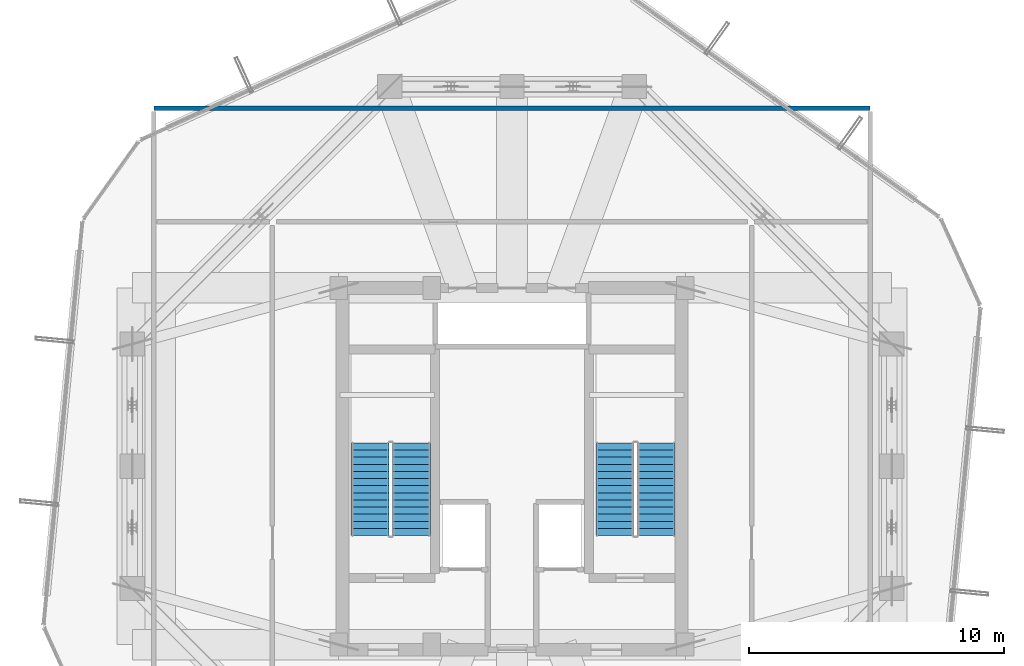
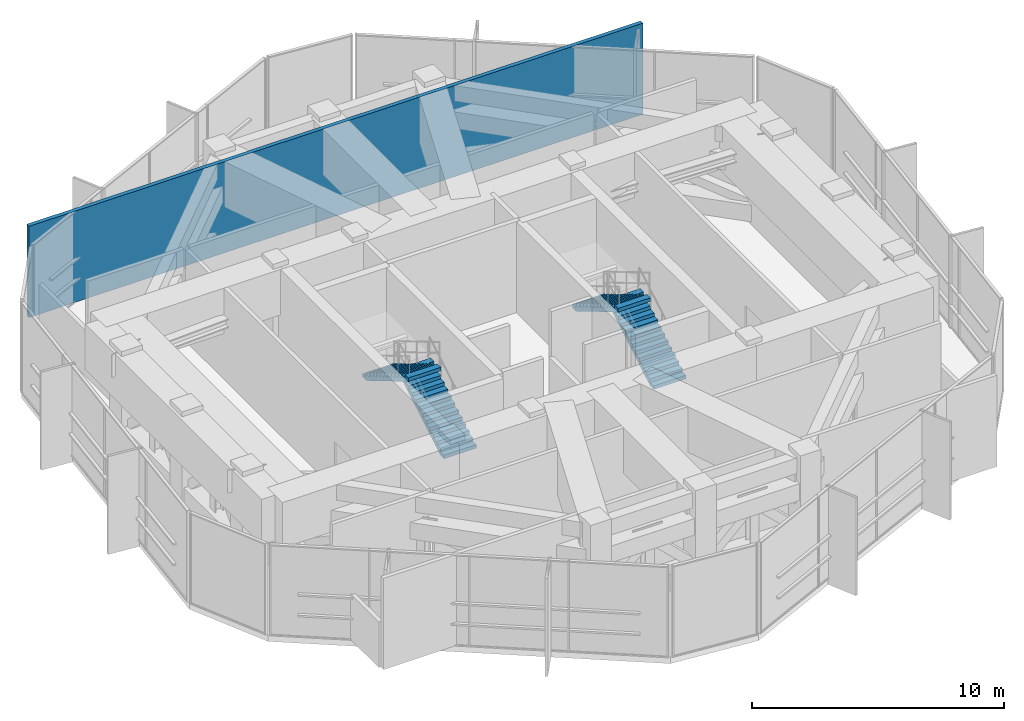
# One storey, part 29 of 31: 4 stair flights, 1 wall, 2 elements without a shape of their own.
"""IFC4 building model written with IfcOpenShell, lengths in metres."""

import ifcopenshell
import ifcopenshell.guid

model = None  # the IFC model being written
_history = None  # IfcOwnerHistory: only IFC2X3 demands one
_inside = {}  # id of a spatial element -> (the spatial element, [elements in it])
_under = {}  # id of a project, library or spatial element -> (it, [spatial elements below it])
_declared = {}  # id of a project -> (the project, [libraries it declares])
_typed = {}  # id of a type object -> (the type object, [elements of that type])
_made_of = {}  # id of a material, layer set ... -> (it, [elements and type objects made of it])


def new_model(schema):
    """Start an empty IFC model of exactly this schema.

    Asked for "IFC4X3", IfcOpenShell would pick the latest addendum, in which some entities
    have other attributes; the version numbers below select the first issue.
    IFC2X3 requires an IfcOwnerHistory on every rooted entity: one is made here for all.
    """
    global model, _history
    if schema == "IFC4X3":
        model = ifcopenshell.file(schema_version=(4, 3, 0, 0))
    else:
        model = ifcopenshell.file(schema=schema)
    _inside.clear()
    _under.clear()
    _declared.clear()
    _typed.clear()
    _made_of.clear()
    _history = None
    if model.schema == "IFC2X3":
        org = make("IfcOrganization", Name="unknown")
        user = make(
            "IfcPersonAndOrganization",
            ThePerson=make("IfcPerson", FamilyName="unknown"),
            TheOrganization=org,
        )
        app = make(
            "IfcApplication",
            ApplicationDeveloper=org,
            Version="unknown",
            ApplicationFullName="unknown",
            ApplicationIdentifier="unknown",
        )
        _history = make(
            "IfcOwnerHistory",
            OwningUser=user,
            OwningApplication=app,
            ChangeAction="ADDED",
            CreationDate=0,
        )
    return model


def make(cls, **values):
    """One entity of the class cls with the attributes given. An attribute that is None is left unset."""
    return model.create_entity(
        cls, **{name: value for name, value in values.items() if value is not None}
    )


def rooted(cls, **values):
    """An entity with a GlobalId (a new one), such as an element, a storey or a relation."""
    return make(cls, GlobalId=ifcopenshell.guid.new(), OwnerHistory=_history, **values)


def si_unit(unit_type, name, prefix=None):
    """IfcSIUnit, for example si_unit("LENGTHUNIT", "METRE", prefix="MILLI")."""
    return make("IfcSIUnit", UnitType=unit_type, Prefix=prefix, Name=name)


def assignment(units):
    """IfcUnitAssignment: the units of a project."""
    return None if units is None else make("IfcUnitAssignment", Units=units)


def point(xyz):
    """IfcCartesianPoint."""
    return None if xyz is None else make("IfcCartesianPoint", Coordinates=xyz)


def direction(xyz):
    """IfcDirection."""
    return None if xyz is None else make("IfcDirection", DirectionRatios=xyz)


def frame(location, z_axis=None, x_axis=None):
    """IfcAxis2Placement3D, a coordinate frame: its origin and axes. An axis left out is left unset."""
    return make(
        "IfcAxis2Placement3D",
        Location=point(location),
        Axis=direction(z_axis),
        RefDirection=direction(x_axis),
    )


def frame_2d(location, x_axis=None):
    """IfcAxis2Placement2D, a coordinate frame in the plane: its origin and x axis."""
    return make(
        "IfcAxis2Placement2D", Location=point(location), RefDirection=direction(x_axis)
    )


def origin():
    """The frame at (0, 0, 0) with its axes left unset."""
    return frame((0.0, 0.0, 0.0))


def place(relative_to, where):
    """IfcLocalPlacement: puts the frame where relative to a parent placement (None: the world)."""
    return make(
        "IfcLocalPlacement", PlacementRelTo=relative_to, RelativePlacement=where
    )


def context(
    kind, dimensions, precision=None, world=None, true_north=None, identifier=None
):
    """IfcGeometricRepresentationContext, for example the 3D "Model" context."""
    return make(
        "IfcGeometricRepresentationContext",
        ContextIdentifier=identifier,
        ContextType=kind,
        CoordinateSpaceDimension=dimensions,
        Precision=precision,
        WorldCoordinateSystem=world,
        TrueNorth=true_north,
    )


def subcontext(parent, identifier, kind, view, scale=None):
    """IfcGeometricRepresentationSubContext, for example "Body" below "Model"."""
    return make(
        "IfcGeometricRepresentationSubContext",
        ContextIdentifier=identifier,
        ContextType=kind,
        ParentContext=parent,
        TargetScale=scale,
        TargetView=view,
    )


def project(units=None, contexts=None):
    """IfcProject with its units and contexts."""
    return rooted(
        "IfcProject",
        Name="project",
        RepresentationContexts=contexts,
        UnitsInContext=assignment(units),
    )


def spatial(cls, under=None, at=None, **own):
    """A site, building, storey or space (cls), placed at a placement, below another one or the project."""
    s = rooted(cls, ObjectPlacement=at, **own)
    if under is not None:
        _under.setdefault(under.id(), (under, []))[1].append(s)
    return s


def polyline(points):
    """IfcPolyline through the points."""
    return make("IfcPolyline", Points=[point(p) for p in points])


def profile(cls, at=None, kind="AREA", **sizes):
    """A parametric profile (cls). Its sizes go by their IFC names, for example OverallWidth=200.0."""
    return make(cls, ProfileType=kind, Position=at, **sizes)


def rectangle(**sizes):
    """IfcRectangleProfileDef."""
    return profile("IfcRectangleProfileDef", **sizes)


def outline(outer, holes=None, kind="AREA"):
    """IfcArbitraryClosedProfileDef: a profile drawn as a closed curve; with holes, ...WithVoids."""
    if holes is None:
        return make("IfcArbitraryClosedProfileDef", ProfileType=kind, OuterCurve=outer)
    return make(
        "IfcArbitraryProfileDefWithVoids",
        ProfileType=kind,
        OuterCurve=outer,
        InnerCurves=holes,
    )


def extrude(swept, where, along, depth):
    """IfcExtrudedAreaSolid: the profile swept, set in the frame where, extruded along a direction by depth."""
    return make(
        "IfcExtrudedAreaSolid",
        SweptArea=swept,
        Position=where,
        ExtrudedDirection=direction(along),
        Depth=depth,
    )


def shape(context_of_items, identifier, shape_type, items):
    """IfcShapeRepresentation: the items that make up one representation, for example the "Body"."""
    return make(
        "IfcShapeRepresentation",
        ContextOfItems=context_of_items,
        RepresentationIdentifier=identifier,
        RepresentationType=shape_type,
        Items=items,
    )


def material(Name=None, Category=None):
    """IfcMaterial."""
    return make("IfcMaterial", Name=Name, Category=Category)


def layer(
    of_material, thickness, ventilated=None, Name=None, Category=None, Priority=None
):
    """IfcMaterialLayer: one layer of a wall or slab, of a material (None: an air gap)."""
    return make(
        "IfcMaterialLayer",
        Material=of_material,
        LayerThickness=thickness,
        IsVentilated=ventilated,
        Name=Name,
        Category=Category,
        Priority=Priority,
    )


def layer_set(layers, Name=None):
    """IfcMaterialLayerSet."""
    return make("IfcMaterialLayerSet", MaterialLayers=layers, LayerSetName=Name)


def made_of(thing, what):
    """Note that an element or type object is made of a material, layer set ...; save() writes the relation."""
    if what is not None:
        _made_of.setdefault(what.id(), (what, []))[1].append(thing)
    return thing


def type_object(cls, material=None, **own):
    """A type object (cls), such as IfcWallType, which elements share."""
    return made_of(rooted(cls, **own), material)


def element(
    cls,
    number,
    at=None,
    inside=None,
    cuts=None,
    type_object=None,
    material=None,
    context=None,
    identifier="Body",
    shape_type=None,
    held_by="IfcProductDefinitionShape",
    body=None,
    shapes=None,
    **own,
):
    """One element of the class cls, such as IfcWall. Its Tag is "e" and its number.

    at: its placement. inside: the storey or other place that contains it. cuts: it is an
    opening in that element (IfcRelVoidsElement). A single representation is given by context,
    identifier, shape_type and body (its items); several are given by shapes. held_by: the class
    of the entity that holds the representations. save() writes the other relations.
    """
    e = rooted(cls, Tag="e%d" % number, ObjectPlacement=at, **own)
    if body is not None:
        shapes = [shape(context, identifier, shape_type, body)]
    if shapes is not None:
        e.Representation = make(held_by, Representations=shapes)
    if inside is not None:
        _inside.setdefault(inside.id(), (inside, []))[1].append(e)
    if cuts is not None:
        rooted(
            "IfcRelVoidsElement", RelatingBuildingElement=cuts, RelatedOpeningElement=e
        )
    if type_object is not None:
        _typed.setdefault(type_object.id(), (type_object, []))[1].append(e)
    return made_of(e, material)


def aggregate(whole, parts):
    """IfcRelAggregates: a whole, such as a stair, and the parts it consists of."""
    return rooted("IfcRelAggregates", RelatingObject=whole, RelatedObjects=parts)


def save(model, path):
    """Write the relations noted so far, then the file.

    IfcRelAggregates (storeys below a building ...), IfcRelContainedInSpatialStructure (elements
    in a storey), IfcRelDefinesByType, IfcRelAssociatesMaterial and IfcRelDeclares: one each for
    every whole, place, type object, material and project.
    """
    for whole, parts in _under.values():
        aggregate(whole, parts)
    for where, things in _inside.values():
        rooted(
            "IfcRelContainedInSpatialStructure",
            RelatedElements=things,
            RelatingStructure=where,
        )
    for kind, things in _typed.values():
        rooted("IfcRelDefinesByType", RelatedObjects=things, RelatingType=kind)
    for what, things in _made_of.values():
        rooted("IfcRelAssociatesMaterial", RelatedObjects=things, RelatingMaterial=what)
    for by, libraries in _declared.values():
        rooted("IfcRelDeclares", RelatingContext=by, RelatedDefinitions=libraries)
    model.write(path)


model = new_model("IFC4")

# Units and contexts
model_context = context("Model", 3, precision=1e-05, world=origin(), true_north=direction((0.0, 1.0)))
body_context = subcontext(model_context, "Body", "Model", "MODEL_VIEW")
ifc_project = project(units=[si_unit("LENGTHUNIT", "METRE"), si_unit("AREAUNIT", "SQUARE_METRE"), si_unit("VOLUMEUNIT", "CUBIC_METRE"), si_unit("PLANEANGLEUNIT", "RADIAN"), si_unit("MASSUNIT", "GRAM", prefix="KILO")], contexts=[model_context])

# Site, building, storey
site_placement = place(None, origin())
site = spatial("IfcSite", under=ifc_project, at=site_placement, CompositionType="ELEMENT")
building_placement = place(site_placement, origin())
building = spatial("IfcBuilding", under=site, at=building_placement, Name="Veraguas Prism Commons", CompositionType="ELEMENT")
storey_placement = place(building_placement, frame((0.0, 0.0, 225.39990234375)))
storey = spatial("IfcBuildingStorey", under=building, at=storey_placement, Name="L64", CompositionType="ELEMENT", Elevation=225.39990234375)

# Wall
ifc_material_1 = material(Name="Autoclaved aerated masonry block 10 MPa", Category="masonry")
ifc_layer = layer(ifc_material_1, 0.179931640625, Name="Corridor and Inter-Tenancy Partition 180", Category="masonry")
ifc_layer_set = layer_set([ifc_layer], Name="Autoclaved aerated masonry block 10 MPa")
wall_type = type_object("IfcWallType", Name="Corridor and Inter-Tenancy Partition 180", PredefinedType="PARTITIONING", material=ifc_layer_set)
wall_placement = place(storey_placement, frame((9.949951171875, 38.050048828125, 0.0), z_axis=(0.0, 0.0, 1.0), x_axis=(1.0, 0.0, 0.0)))
element("IfcWall", 1, at=wall_placement, inside=storey, type_object=wall_type, Name="WL-L64-PLPN", PredefinedType="PARTITIONING", context=body_context, shape_type="SweptSolid", body=[
    extrude(rectangle(XDim=28.10009765625, YDim=0.179931640625, at=frame_2d((14.050048828125, 0.0))), origin(), (0.0, 0.0, 1.0), 4.4150390625),
])

# Stair, stair flights
ifc_material_2 = material(Name="Precast concrete C45/55", Category="concrete")
stair_type = type_object("IfcStairType", Name="Dogleg Core Stair 1480W 28R 07", PredefinedType="HALF_TURN_STAIR", material=ifc_material_2)
stair_1_placement = place(storey_placement, origin())
stair_1 = element("IfcStair", 2, at=stair_1_placement, inside=storey, type_object=stair_type, Name="Protected Exit Stair ST-01 L64", PredefinedType="HALF_TURN_STAIR")
stair_flight_type = type_object("IfcStairFlightType", Name="Precast Stair Flight 1480W 14R 07", PredefinedType="STRAIGHT", material=ifc_material_2)
stair_flight_1_placement = place(storey_placement, frame((20.06005859375, 21.280029296875, 0.0), z_axis=(0.0, 0.0, 1.0), x_axis=(0.0, 1.0, 0.0)))
stair_flight_1 = element("IfcStairFlight", 3, at=stair_flight_1_placement, type_object=stair_flight_type, Name="ST-07 Flight 1", NumberOfRisers=14, NumberOfTreads=13, PredefinedType="STRAIGHT", RiserHeight=0.166071429, TreadLength=0.28, context=body_context, shape_type="SweptSolid", body=[
    extrude(outline(polyline([(0.0, 0.0), (0.0, 0.166015625), (0.280029296875, 0.166015625), (0.280029296875, 0.33203125), (0.56005859375, 0.33203125), (0.56005859375, 0.498291015625), (0.840087890625, 0.498291015625), (0.840087890625, 0.664306640625), (1.1201171875, 0.664306640625), (1.1201171875, 0.830322265625), (1.39990234375, 0.830322265625), (1.39990234375, 0.996337890625), (1.679931640625, 0.996337890625), (1.679931640625, 1.16259765625), (1.9599609375, 1.16259765625), (1.9599609375, 1.32861328125), (2.239990234375, 1.32861328125), (2.239990234375, 1.49462890625), (2.52001953125, 1.49462890625), (2.52001953125, 1.66064453125), (2.800048828125, 1.66064453125), (2.800048828125, 1.826904296875), (3.080078125, 1.826904296875), (3.080078125, 1.992919921875), (3.360107421875, 1.992919921875), (3.360107421875, 2.158935546875), (3.639892578125, 2.158935546875), (3.639892578125, 2.324951171875), (3.639892578125, 1.984619140625), (0.2939453125, 0.0), (0.0, 0.0)])), frame((0.0, 0.739990234375, 0.0), z_axis=(0.0, -1.0, 0.0), x_axis=(1.0, 0.0, 0.0)), (0.0, 0.0, 1.0), 1.47998046875),
])
stair_flight_2_placement = place(storey_placement, frame((18.429931640625, 24.919921875, 2.3251953125), z_axis=(0.0, 0.0, 1.0), x_axis=(0.0, -1.0, 0.0)))
stair_flight_2 = element("IfcStairFlight", 4, at=stair_flight_2_placement, type_object=stair_flight_type, Name="ST-07 Flight 2", NumberOfRisers=14, NumberOfTreads=13, PredefinedType="STRAIGHT", RiserHeight=0.166071429, TreadLength=0.28, context=body_context, shape_type="SweptSolid", body=[
    extrude(outline(polyline([(0.0, 0.0), (0.0, 0.166015625), (0.280029296875, 0.166015625), (0.280029296875, 0.33203125), (0.56005859375, 0.33203125), (0.56005859375, 0.498291015625), (0.840087890625, 0.498291015625), (0.840087890625, 0.664306640625), (1.1201171875, 0.664306640625), (1.1201171875, 0.830322265625), (1.39990234375, 0.830322265625), (1.39990234375, 0.996337890625), (1.679931640625, 0.996337890625), (1.679931640625, 1.16259765625), (1.9599609375, 1.16259765625), (1.9599609375, 1.32861328125), (2.239990234375, 1.32861328125), (2.239990234375, 1.49462890625), (2.52001953125, 1.49462890625), (2.52001953125, 1.66064453125), (2.800048828125, 1.66064453125), (2.800048828125, 1.826904296875), (3.080078125, 1.826904296875), (3.080078125, 1.992919921875), (3.360107421875, 1.992919921875), (3.360107421875, 2.158935546875), (3.639892578125, 2.158935546875), (3.639892578125, 2.324951171875), (3.639892578125, 1.984619140625), (0.2939453125, 0.0), (0.0, 0.0)])), frame((0.0, 0.739990234375, 0.0), z_axis=(0.0, -1.0, 0.0), x_axis=(1.0, 0.0, 0.0)), (0.0, 0.0, 1.0), 1.47998046875),
])
aggregate(stair_1, [stair_flight_1, stair_flight_2])

stair_2_placement = place(storey_placement, origin())
stair_2 = element("IfcStair", 5, at=stair_2_placement, inside=storey, type_object=stair_type, Name="Protected Exit Stair ST-02 L64", PredefinedType="HALF_TURN_STAIR")
stair_flight_3_placement = place(storey_placement, frame((29.659912109375, 21.280029296875, 0.0), z_axis=(0.0, 0.0, 1.0), x_axis=(0.0, 1.0, 0.0)))
stair_flight_3 = element("IfcStairFlight", 6, at=stair_flight_3_placement, type_object=stair_flight_type, Name="ST-07 Flight 1", NumberOfRisers=14, NumberOfTreads=13, PredefinedType="STRAIGHT", RiserHeight=0.166071429, TreadLength=0.28, context=body_context, shape_type="SweptSolid", body=[
    extrude(outline(polyline([(0.0, 0.0), (0.0, 0.166015625), (0.280029296875, 0.166015625), (0.280029296875, 0.33203125), (0.56005859375, 0.33203125), (0.56005859375, 0.498291015625), (0.840087890625, 0.498291015625), (0.840087890625, 0.664306640625), (1.1201171875, 0.664306640625), (1.1201171875, 0.830322265625), (1.39990234375, 0.830322265625), (1.39990234375, 0.996337890625), (1.679931640625, 0.996337890625), (1.679931640625, 1.16259765625), (1.9599609375, 1.16259765625), (1.9599609375, 1.32861328125), (2.239990234375, 1.32861328125), (2.239990234375, 1.49462890625), (2.52001953125, 1.49462890625), (2.52001953125, 1.66064453125), (2.800048828125, 1.66064453125), (2.800048828125, 1.826904296875), (3.080078125, 1.826904296875), (3.080078125, 1.992919921875), (3.360107421875, 1.992919921875), (3.360107421875, 2.158935546875), (3.639892578125, 2.158935546875), (3.639892578125, 2.324951171875), (3.639892578125, 1.984619140625), (0.2939453125, 0.0), (0.0, 0.0)])), frame((0.0, 0.739990234375, 0.0), z_axis=(0.0, -1.0, 0.0), x_axis=(1.0, 0.0, 0.0)), (0.0, 0.0, 1.0), 1.47998046875),
])
stair_flight_4_placement = place(storey_placement, frame((28.030029296875, 24.919921875, 2.3251953125), z_axis=(0.0, 0.0, 1.0), x_axis=(0.0, -1.0, 0.0)))
stair_flight_4 = element("IfcStairFlight", 7, at=stair_flight_4_placement, type_object=stair_flight_type, Name="ST-07 Flight 2", NumberOfRisers=14, NumberOfTreads=13, PredefinedType="STRAIGHT", RiserHeight=0.166071429, TreadLength=0.28, context=body_context, shape_type="SweptSolid", body=[
    extrude(outline(polyline([(0.0, 0.0), (0.0, 0.166015625), (0.280029296875, 0.166015625), (0.280029296875, 0.33203125), (0.56005859375, 0.33203125), (0.56005859375, 0.498291015625), (0.840087890625, 0.498291015625), (0.840087890625, 0.664306640625), (1.1201171875, 0.664306640625), (1.1201171875, 0.830322265625), (1.39990234375, 0.830322265625), (1.39990234375, 0.996337890625), (1.679931640625, 0.996337890625), (1.679931640625, 1.16259765625), (1.9599609375, 1.16259765625), (1.9599609375, 1.32861328125), (2.239990234375, 1.32861328125), (2.239990234375, 1.49462890625), (2.52001953125, 1.49462890625), (2.52001953125, 1.66064453125), (2.800048828125, 1.66064453125), (2.800048828125, 1.826904296875), (3.080078125, 1.826904296875), (3.080078125, 1.992919921875), (3.360107421875, 1.992919921875), (3.360107421875, 2.158935546875), (3.639892578125, 2.158935546875), (3.639892578125, 2.324951171875), (3.639892578125, 1.984619140625), (0.2939453125, 0.0), (0.0, 0.0)])), frame((0.0, 0.739990234375, 0.0), z_axis=(0.0, -1.0, 0.0), x_axis=(1.0, 0.0, 0.0)), (0.0, 0.0, 1.0), 1.47998046875),
])
aggregate(stair_2, [stair_flight_3, stair_flight_4])

save(model, "model.ifc")
